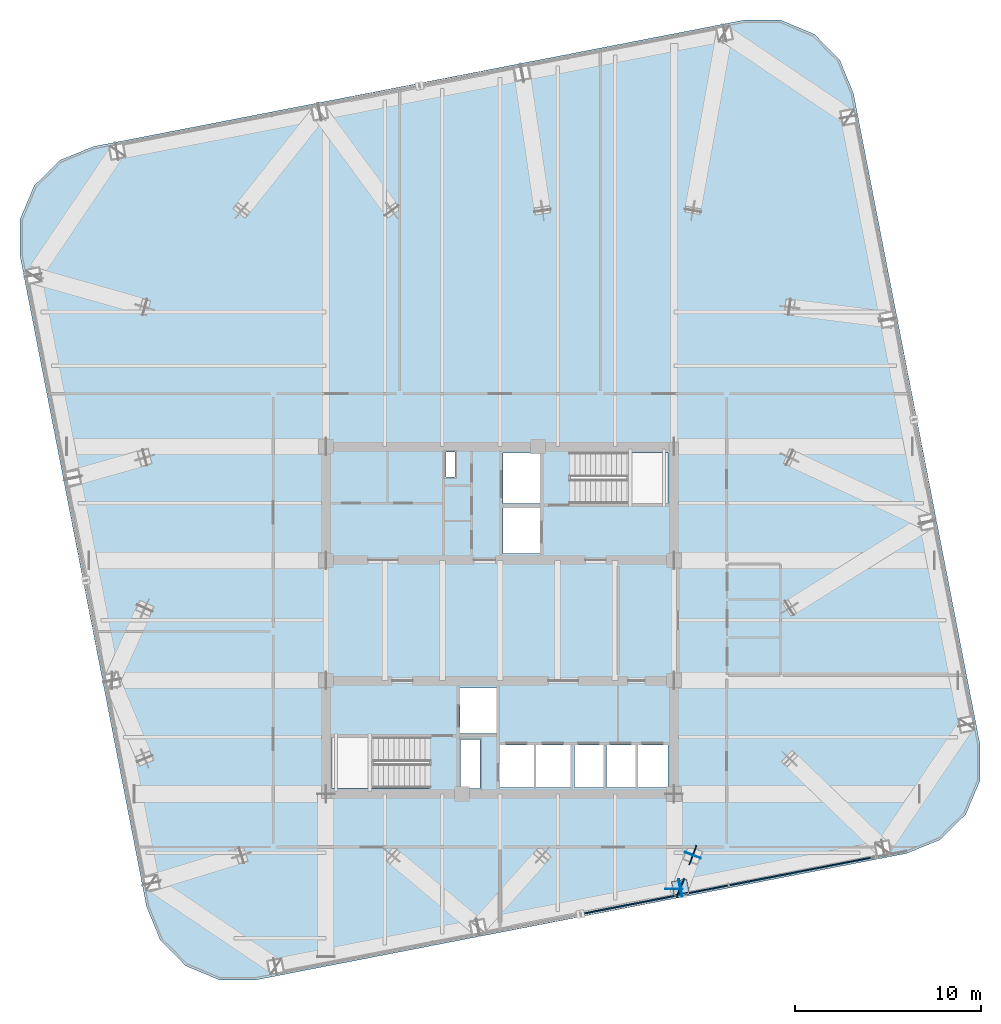
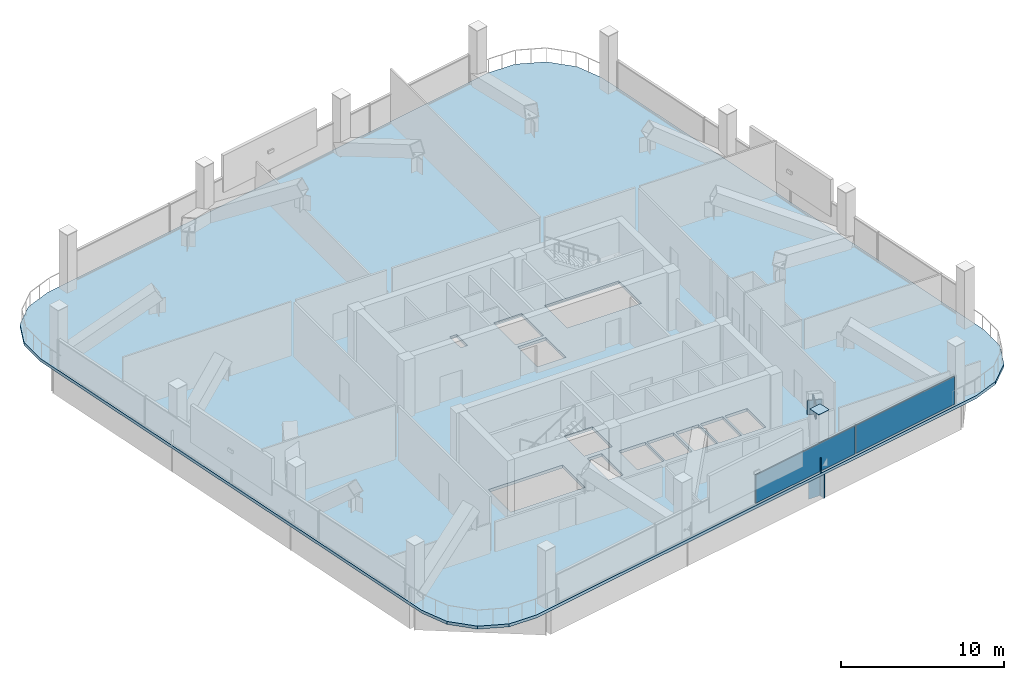
# One storey, part 19 of 26: 9 plates, 1 slab, 1 element without a shape of its own.
"""IFC4 building model written with IfcOpenShell, lengths in metres."""

from ifc_helpers import new_model, si_unit, direction, frame, origin, origin_2d, place, context, subcontext, project, spatial, polyline, rectangle, outline, extrude, material, layer, layer_set, type_object, element, aggregate, save


model = new_model("IFC4")

# Units and contexts
model_context = context("Model", 3, precision=1e-05, world=origin(), true_north=direction((0.0, 1.0)))
body_context = subcontext(model_context, "Body", "Model", "MODEL_VIEW")
ifc_project = project(units=[si_unit("LENGTHUNIT", "METRE"), si_unit("AREAUNIT", "SQUARE_METRE"), si_unit("VOLUMEUNIT", "CUBIC_METRE"), si_unit("PLANEANGLEUNIT", "RADIAN"), si_unit("MASSUNIT", "GRAM", prefix="KILO")], contexts=[model_context])

# Site, building, storey
site_placement = place(None, origin())
site = spatial("IfcSite", under=ifc_project, at=site_placement, CompositionType="ELEMENT")
building_placement = place(site_placement, origin())
building = spatial("IfcBuilding", under=site, at=building_placement, Name="Qhalaya Broadcast Tower", CompositionType="ELEMENT")
storey_placement = place(building_placement, frame((0.0, 0.0, 140.25)))
storey = spatial("IfcBuildingStorey", under=building, at=storey_placement, Name="L41", CompositionType="ELEMENT", Elevation=140.25)

# Plates
ifc_material_1 = material(Name="Structural Steel ASTM A572 Grade 50", Category="steel")
ifc_layer_1 = layer(ifc_material_1, 0.054931640625, Name="Structural Steel ASTM A572 Grade 50")
ifc_layer_set_1 = layer_set([ifc_layer_1], Name="Structural Steel ASTM A572 Grade 50")
plate_type_1 = type_object("IfcPlateType", Name="Exoskeleton Diamond Node Gusset Plate NP-01", PredefinedType="USERDEFINED", material=ifc_layer_set_1)
for number, where, z_axis, x_axis, name in (
    (1, (9.712646484375, -13.80029296875, 0.0), (0.0, 0.0, 1.0), (0.354503204325, 0.93505479953, 0.0), "L41 Strut Foot Gusset Plate 04"),
    (2, (10.3798828125, -12.0400390625, 2.7099609375), (0.0, 0.0, 1.0), (0.354503204325, 0.93505479953, 0.0), "L41 Strut Head Gusset Plate 04"),
):
    element("IfcPlate", number, at=place(storey_placement, frame(where, z_axis=z_axis, x_axis=x_axis)), inside=storey, type_object=plate_type_1, Name=name, ObjectType="GUSSET_PLATE", PredefinedType="USERDEFINED", context=body_context, shape_type="SweptSolid", body=[
        extrude(rectangle(XDim=1.10009765625, YDim=0.06005859375, at=origin_2d()), origin(), (0.0, 0.0, 1.0), 1.10009765625),
    ])
ifc_layer_2 = layer(ifc_material_1, 0.4599609375, Name="Structural Steel ASTM A572 Grade 50")
ifc_layer_set_2 = layer_set([ifc_layer_2], Name="Structural Steel ASTM A572 Grade 50")
plate_type_2 = type_object("IfcPlateType", Name="Hollow Box Member End Cap Plate CP-01", PredefinedType="USERDEFINED", material=ifc_layer_set_2)
for number, where, z_axis, x_axis, name in (
    (3, (9.728271484375, -13.79736328125, -2.0400390625), (0.0, 0.0, 1.0), (-0.190808995377, 0.981627183448, 0.0), "L41 Hollow Girder End Cap L41-SPR-02-B"),
    (4, (9.697021484375, -13.803466796875, -2.0400390625), (0.0, 0.0, 1.0), (-0.190808995377, 0.981627183448, 0.0), "L41 Hollow Girder End Cap L41-SPR-03-A"),
    (5, (9.375, -13.861572265625, -2.0400390625), (0.0, 0.0, 1.0), (-1.0, 0.0, 0.0), "L41 Hollow Girder End Cap L41-PGXS2-1-A"),
):
    element("IfcPlate", number, at=place(storey_placement, frame(where, z_axis=z_axis, x_axis=x_axis)), inside=storey, type_object=plate_type_2, Name=name, ObjectType="COVER_PLATE", PredefinedType="USERDEFINED", context=body_context, shape_type="SweptSolid", body=[
        extrude(rectangle(XDim=0.93994140625, YDim=0.031982421875, at=origin_2d()), origin(), (0.0, 0.0, 1.0), 1.840087890625),
    ])
plate_1_placement = place(storey_placement, frame((9.712646484375, -13.80029296875, 4.35009765625), z_axis=(0.0, 0.0, 1.0), x_axis=(0.981627183448, 0.190808995377, 0.0)))
element("IfcPlate", 6, at=plate_1_placement, inside=storey, type_object=plate_type_2, Name="L41 Hollow Box Column Top Cap Plate COL-EX03", ObjectType="COVER_PLATE", PredefinedType="USERDEFINED", context=body_context, shape_type="SweptSolid", body=[
    extrude(rectangle(XDim=0.840087890625, YDim=0.840087890625, at=origin_2d()), origin(), (0.0, 0.0, 1.0), 0.031982421875),
])

# Curtain wall, plates
ifc_material_2 = material(Name="Fired Architectural Terracotta", Category="masonry")
ifc_layer_3 = layer(ifc_material_2, 0.219970703125, Name="Fired Architectural Terracotta")
ifc_layer_set_3 = layer_set([ifc_layer_3], Name="Fired Architectural Terracotta")
curtain_wall_type = type_object("IfcCurtainWallType", Name="Block-Cap Unitised Terracotta Spandrel Wall CW-07", PredefinedType="NOTDEFINED", material=ifc_layer_set_3)
curtain_wall_placement = place(storey_placement, origin())
curtain_wall = element("IfcCurtainWall", 7, at=curtain_wall_placement, inside=storey, type_object=curtain_wall_type, Name="L41 Unitised Curtain Wall L41-CW-S", PredefinedType="NOTDEFINED")
ifc_layer_4 = layer(ifc_material_2, 0.080078125, Name="Fired Architectural Terracotta")
ifc_layer_set_4 = layer_set([ifc_layer_4], Name="Fired Architectural Terracotta")
plate_type_3 = type_object("IfcPlateType", Name="Insulated Terracotta Spandrel Panel TSP-07", PredefinedType="CURTAIN_PANEL", material=ifc_layer_set_4)
plate_2_placement = place(storey_placement, frame((16.287353515625, -12.88916015625, 0.074951171875), z_axis=(0.0, 0.0, 1.0), x_axis=(-0.981626973255, -0.190810076719, 0.0)))
plate_2 = element("IfcPlate", 8, at=plate_2_placement, type_object=plate_type_3, Name="CW-07 panel 1.1", PredefinedType="CURTAIN_PANEL", context=body_context, shape_type="SweptSolid", body=[
    extrude(rectangle(XDim=8.0185546875, YDim=0.080078125, at=origin_2d()), origin(), (0.0, 0.0, 1.0), 2.10009765625),
])
plate_3_placement = place(storey_placement, frame((8.32421875, -14.43701171875, 0.074951171875), z_axis=(0.0, 0.0, 1.0), x_axis=(-0.981626973255, -0.190810076719, 0.0)))
plate_3 = element("IfcPlate", 9, at=plate_3_placement, type_object=plate_type_3, Name="CW-07 panel 2.1", PredefinedType="CURTAIN_PANEL", context=body_context, shape_type="SweptSolid", body=[
    extrude(rectangle(XDim=8.055908203125, YDim=0.080078125, at=origin_2d()), origin(), (0.0, 0.0, 1.0), 2.10009765625),
])
aggregate(curtain_wall, [plate_2, plate_3])

# Slab
ifc_material_3 = material(Name="Concrete C40/50", Category="concrete")
ifc_layer_5 = layer(ifc_material_3, 0.219970703125, Name="Concrete C40/50")
ifc_layer_set_5 = layer_set([ifc_layer_5], Name="Concrete C40/50")
slab_type = type_object("IfcSlabType", Name="Tower Composite Floor Slab 220", PredefinedType="FLOOR", material=ifc_layer_set_5)
slab_placement = place(storey_placement, frame((0.0, 0.0, -0.219970703125)))
element("IfcSlab", 10, at=slab_placement, inside=storey, type_object=slab_type, Name="L41 Main Structural Floor Slab", PredefinedType="FLOOR", context=body_context, shape_type="SweptSolid", body=[
    extrude(outline(polyline([(21.882080078125, -11.944091796875), (23.687744140625, -11.20556640625), (25.0732421875, -9.83203125), (25.82763671875, -8.032958984375), (25.836181640625, -6.08203125), (19.024169921875, 28.9619140625), (18.285400390625, 30.767578125), (16.912109375, 32.1533203125), (15.11279296875, 32.90771484375), (13.162109375, 32.916015625), (-21.882080078125, 26.104248046875), (-23.687744140625, 25.365478515625), (-25.0732421875, 23.9921875), (-25.82763671875, 22.19287109375), (-25.836181640625, 20.2421875), (-19.024169921875, -14.802001953125), (-18.285400390625, -16.607666015625), (-16.912109375, -17.9931640625), (-15.11279296875, -18.74755859375), (-13.162109375, -18.756103515625), (21.882080078125, -11.944091796875)]), holes=[polyline([(3.784912109375, 9.639892578125), (9.050048828125, 9.639892578125), (9.050048828125, 6.8798828125), (3.784912109375, 6.8798828125), (3.784912109375, 9.639892578125)]), polyline([(-3.784912109375, -8.43994140625), (-9.050048828125, -8.43994140625), (-9.050048828125, -5.679931640625), (-3.784912109375, -5.679931640625), (-3.784912109375, -8.43994140625)]), polyline([(0.14990234375, 6.64990234375), (2.14990234375, 6.64990234375), (2.14990234375, 4.199951171875), (0.14990234375, 4.199951171875), (0.14990234375, 6.64990234375)]), polyline([(0.14990234375, 9.60009765625), (2.14990234375, 9.60009765625), (2.14990234375, 6.89990234375), (0.14990234375, 6.89990234375), (0.14990234375, 9.60009765625)]), polyline([(-2.14990234375, -3.050048828125), (-0.14990234375, -3.050048828125), (-0.14990234375, -5.5), (-2.14990234375, -5.5), (-2.14990234375, -3.050048828125)]), polyline([(-0.050048828125, -6.10009765625), (1.830078125, -6.10009765625), (1.830078125, -8.39990234375), (-0.050048828125, -8.39990234375), (-0.050048828125, -6.10009765625)]), polyline([(1.949951171875, -6.10009765625), (3.830078125, -6.10009765625), (3.830078125, -8.39990234375), (1.949951171875, -8.39990234375), (1.949951171875, -6.10009765625)]), polyline([(4.0, -6.10009765625), (5.60009765625, -6.10009765625), (5.60009765625, -8.39990234375), (4.0, -8.39990234375), (4.0, -6.10009765625)]), polyline([(5.719970703125, -6.10009765625), (7.320068359375, -6.10009765625), (7.320068359375, -8.39990234375), (5.719970703125, -8.39990234375), (5.719970703125, -6.10009765625)]), polyline([(7.43994140625, -6.10009765625), (9.0400390625, -6.10009765625), (9.0400390625, -8.39990234375), (7.43994140625, -8.39990234375), (7.43994140625, -6.10009765625)]), polyline([(-2.919921875, 9.659912109375), (-2.419921875, 9.659912109375), (-2.419921875, 8.320068359375), (-2.919921875, 8.320068359375), (-2.919921875, 9.659912109375)]), polyline([(-2.1201171875, -5.820068359375), (-1.080078125, -5.820068359375), (-1.080078125, -8.4599609375), (-2.1201171875, -8.4599609375), (-2.1201171875, -5.820068359375)])]), origin(), (0.0, 0.0, 1.0), 0.219970703125),
])

# Plate
ifc_layer_6 = layer(ifc_material_1, 0.044921875, Name="Structural Steel ASTM A572 Grade 50")
ifc_layer_set_6 = layer_set([ifc_layer_6], Name="Structural Steel ASTM A572 Grade 50")
plate_type_4 = type_object("IfcPlateType", Name="Transfer Girder Web Stiffener Plate WS-01", PredefinedType="USERDEFINED", material=ifc_layer_set_6)
plate_4_placement = place(storey_placement, frame((10.3798828125, -12.0400390625, 2.73486328125), z_axis=(0.0, 0.0, 1.0), x_axis=(-0.93505479953, 0.354503204325, 0.0)))
element("IfcPlate", 11, at=plate_4_placement, inside=storey, type_object=plate_type_4, Name="L41 Strut Head Cross Diaphragm Plate 04", ObjectType="STIFFENER_PLATE", PredefinedType="USERDEFINED", context=body_context, shape_type="SweptSolid", body=[
    extrude(rectangle(XDim=0.89990234375, YDim=0.044921875, at=origin_2d()), origin(), (0.0, 0.0, 1.0), 1.050048828125),
])

save(model, "model.ifc")
